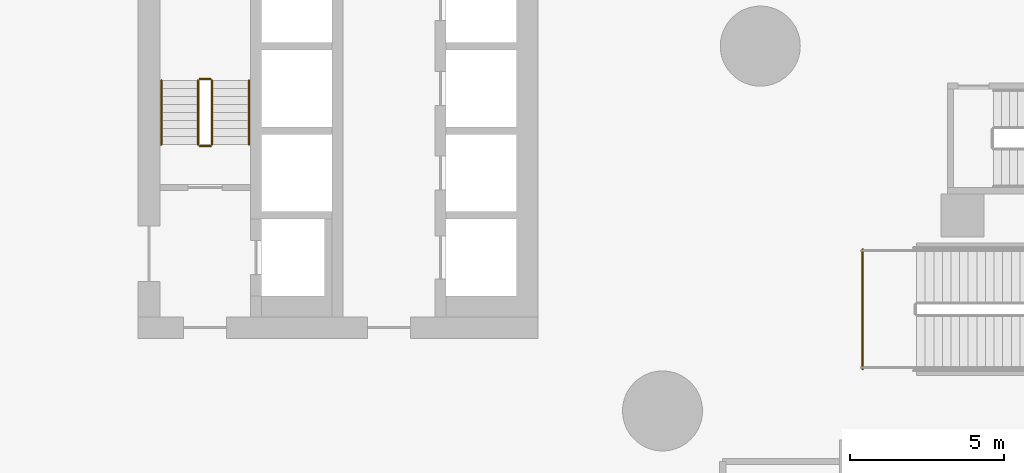
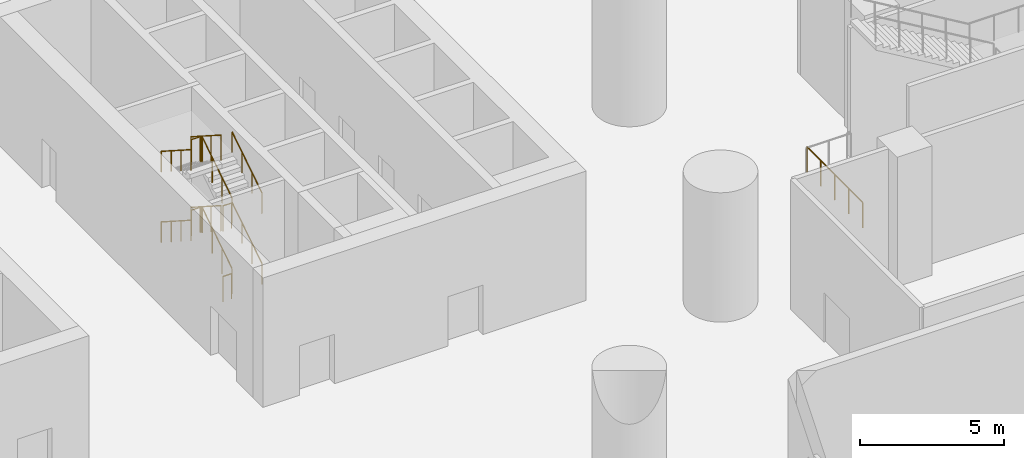
# One storey, part 45 of 52: 13 railings.
"""IFC4 building model written with IfcOpenShell, lengths in metres."""

from ifc_helpers import new_model, si_unit, direction, frame, origin, origin_2d, place, context, subcontext, project, spatial, circle, extrude, material, type_object, element, save


model = new_model("IFC4")

# Units and contexts
model_context = context("Model", 3, precision=1e-05, world=origin(), true_north=direction((0.0, 1.0)))
body_context = subcontext(model_context, "Body", "Model", "MODEL_VIEW")
ifc_project = project(units=[si_unit("LENGTHUNIT", "METRE"), si_unit("AREAUNIT", "SQUARE_METRE"), si_unit("VOLUMEUNIT", "CUBIC_METRE"), si_unit("PLANEANGLEUNIT", "RADIAN"), si_unit("MASSUNIT", "GRAM", prefix="KILO")], contexts=[model_context])

# Site, building, storey
site_placement = place(None, origin())
site = spatial("IfcSite", under=ifc_project, at=site_placement, CompositionType="ELEMENT")
building_placement = place(site_placement, origin())
building = spatial("IfcBuilding", under=site, at=building_placement, Name="Tamarind Cross Interchange Tower", CompositionType="ELEMENT")
storey_placement = place(building_placement, frame((0.0, 0.0, 9.0)))
storey = spatial("IfcBuildingStorey", under=building, at=storey_placement, Name="L01", CompositionType="ELEMENT", Elevation=9.0)

# Railings
ifc_material_1 = material(Name="Public stair guard")
railing_type_1 = type_object("IfcRailingType", Name="Public stair guard", PredefinedType="GUARDRAIL", material=ifc_material_1)
railing_1_placement = place(storey_placement, frame((27.050048828125, -10.5, 0.0)))
element("IfcRailing", 1, at=railing_1_placement, inside=storey, type_object=railing_type_1, Name="L01 PS-E stair guard 10", PredefinedType="GUARDRAIL", context=body_context, shape_type="SweptSolid", body=[
    extrude(circle(Radius=0.02392578125, at=origin_2d()), frame((0.0, 0.0, 1.076171875), z_axis=(0.0, 1.0, 0.0), x_axis=(-1.0, 0.0, 0.0)), (0.0, 0.0, 1.0), 3.89990234375),
    extrude(circle(Radius=0.02099609375, at=origin_2d()), origin(), (0.0, 0.0, 1.0), 1.052001953125),
    extrude(circle(Radius=0.02099609375, at=origin_2d()), frame((0.0, 0.97509765625, 0.0)), (0.0, 0.0, 1.0), 1.052001953125),
    extrude(circle(Radius=0.02099609375, at=origin_2d()), frame((0.0, 1.949951171875, 0.0)), (0.0, 0.0, 1.0), 1.052001953125),
    extrude(circle(Radius=0.02099609375, at=origin_2d()), frame((0.0, 2.9248046875, 0.0)), (0.0, 0.0, 1.0), 1.052001953125),
    extrude(circle(Radius=0.02099609375, at=origin_2d()), frame((0.0, 3.89990234375, 0.0)), (0.0, 0.0, 1.0), 1.052001953125),
])
ifc_material_2 = material(Name="Stair guard")
railing_type_2 = type_object("IfcRailingType", Name="Stair guard", PredefinedType="GUARDRAIL", material=ifc_material_2)
railing_2_placement = place(storey_placement, frame((5.89990234375, -3.199951171875, 0.166748046875)))
element("IfcRailing", 2, at=railing_2_placement, inside=storey, type_object=railing_type_2, Name="L01 ST2 stair guard 1", PredefinedType="GUARDRAIL", context=body_context, shape_type="SweptSolid", body=[
    extrude(circle(Radius=0.02392578125, at=origin_2d()), frame((0.0, 0.0, 1.076171875), z_axis=(0.0, 0.84187453394, 0.539673298491), x_axis=(-1.0, 0.0, 0.0)), (0.0, 0.0, 1.0), 2.470458984375),
    extrude(circle(Radius=0.02099609375, at=origin_2d()), origin(), (0.0, 0.0, 1.0), 1.052001953125),
    extrude(circle(Radius=0.02099609375, at=origin_2d()), frame((0.0, 0.693359375, 0.4443359375)), (0.0, 0.0, 1.0), 1.052001953125),
    extrude(circle(Radius=0.02099609375, at=origin_2d()), frame((0.0, 1.386474609375, 0.888916015625)), (0.0, 0.0, 1.0), 1.052001953125),
    extrude(circle(Radius=0.02099609375, at=origin_2d()), frame((0.0, 2.079833984375, 1.333251953125)), (0.0, 0.0, 1.0), 1.052001953125),
])
railing_3_placement = place(storey_placement, frame((5.85009765625, -1.070068359375, 1.5)))
element("IfcRailing", 3, at=railing_3_placement, inside=storey, type_object=railing_type_2, Name="L01 ST2 stair guard 2", PredefinedType="GUARDRAIL", context=body_context, shape_type="SweptSolid", body=[
    extrude(circle(Radius=0.02392578125, at=origin_2d()), frame((0.0, 0.0, 1.076171875), z_axis=(-1.0, 0.0, 0.0), x_axis=(0.0, -1.0, 0.0)), (0.0, 0.0, 1.0), 0.35009765625),
    extrude(circle(Radius=0.02099609375, at=origin_2d()), origin(), (0.0, 0.0, 1.0), 1.052001953125),
    extrude(circle(Radius=0.02099609375, at=origin_2d()), frame((-0.35009765625, 0.0, 0.0)), (0.0, 0.0, 1.0), 1.052001953125),
])
railing_4_placement = place(storey_placement, frame((5.449951171875, -1.1201171875, 1.666748046875)))
element("IfcRailing", 4, at=railing_4_placement, inside=storey, type_object=railing_type_2, Name="L01 ST2 stair guard 3", PredefinedType="GUARDRAIL", context=body_context, shape_type="SweptSolid", body=[
    extrude(circle(Radius=0.02392578125, at=origin_2d()), frame((0.0, 0.0, 1.076171875), z_axis=(0.0, -0.84187453394, 0.539673298491), x_axis=(1.0, 0.0, 0.0)), (0.0, 0.0, 1.0), 2.470458984375),
    extrude(circle(Radius=0.02099609375, at=origin_2d()), origin(), (0.0, 0.0, 1.0), 1.052001953125),
    extrude(circle(Radius=0.02099609375, at=origin_2d()), frame((0.0, -0.693359375, 0.4443359375)), (0.0, 0.0, 1.0), 1.052001953125),
    extrude(circle(Radius=0.02099609375, at=origin_2d()), frame((0.0, -1.386474609375, 0.888916015625)), (0.0, 0.0, 1.0), 1.052001953125),
    extrude(circle(Radius=0.02099609375, at=origin_2d()), frame((0.0, -2.079833984375, 1.333251953125)), (0.0, 0.0, 1.0), 1.052001953125),
])
railing_5_placement = place(storey_placement, frame((5.85009765625, -3.25, 3.0)))
element("IfcRailing", 5, at=railing_5_placement, inside=storey, type_object=railing_type_2, Name="L01 ST2 stair guard 4", PredefinedType="GUARDRAIL", context=body_context, shape_type="SweptSolid", body=[
    extrude(circle(Radius=0.02392578125, at=origin_2d()), frame((0.0, 0.0, 1.076171875), z_axis=(-1.0, 0.0, 0.0), x_axis=(0.0, -1.0, 0.0)), (0.0, 0.0, 1.0), 0.35009765625),
    extrude(circle(Radius=0.02099609375, at=origin_2d()), origin(), (0.0, 0.0, 1.0), 1.052001953125),
    extrude(circle(Radius=0.02099609375, at=origin_2d()), frame((-0.35009765625, 0.0, 0.0)), (0.0, 0.0, 1.0), 1.052001953125),
])
railing_6_placement = place(storey_placement, frame((5.89990234375, -3.199951171875, 3.166748046875)))
element("IfcRailing", 6, at=railing_6_placement, inside=storey, type_object=railing_type_2, Name="L01 ST2 stair guard 5", PredefinedType="GUARDRAIL", context=body_context, shape_type="SweptSolid", body=[
    extrude(circle(Radius=0.02392578125, at=origin_2d()), frame((0.0, 0.0, 1.076171875), z_axis=(0.0, 0.84187453394, 0.539673298491), x_axis=(-1.0, 0.0, 0.0)), (0.0, 0.0, 1.0), 2.470458984375),
    extrude(circle(Radius=0.02099609375, at=origin_2d()), origin(), (0.0, 0.0, 1.0), 1.052001953125),
    extrude(circle(Radius=0.02099609375, at=origin_2d()), frame((0.0, 0.693359375, 0.4443359375)), (0.0, 0.0, 1.0), 1.052001953125),
    extrude(circle(Radius=0.02099609375, at=origin_2d()), frame((0.0, 1.386474609375, 0.888916015625)), (0.0, 0.0, 1.0), 1.052001953125),
    extrude(circle(Radius=0.02099609375, at=origin_2d()), frame((0.0, 2.079833984375, 1.333251953125)), (0.0, 0.0, 1.0), 1.052001953125),
])
railing_7_placement = place(storey_placement, frame((5.85009765625, -1.070068359375, 4.5)))
element("IfcRailing", 7, at=railing_7_placement, inside=storey, type_object=railing_type_2, Name="L01 ST2 stair guard 6", PredefinedType="GUARDRAIL", context=body_context, shape_type="SweptSolid", body=[
    extrude(circle(Radius=0.02392578125, at=origin_2d()), frame((0.0, 0.0, 1.076171875), z_axis=(-1.0, 0.0, 0.0), x_axis=(0.0, -1.0, 0.0)), (0.0, 0.0, 1.0), 0.35009765625),
    extrude(circle(Radius=0.02099609375, at=origin_2d()), origin(), (0.0, 0.0, 1.0), 1.052001953125),
    extrude(circle(Radius=0.02099609375, at=origin_2d()), frame((-0.35009765625, 0.0, 0.0)), (0.0, 0.0, 1.0), 1.052001953125),
])
railing_8_placement = place(storey_placement, frame((5.449951171875, -1.1201171875, 4.666748046875)))
element("IfcRailing", 8, at=railing_8_placement, inside=storey, type_object=railing_type_2, Name="L01 ST2 stair guard 7", PredefinedType="GUARDRAIL", context=body_context, shape_type="SweptSolid", body=[
    extrude(circle(Radius=0.02392578125, at=origin_2d()), frame((0.0, 0.0, 1.076171875), z_axis=(0.0, -0.84187453394, 0.539673298491), x_axis=(1.0, 0.0, 0.0)), (0.0, 0.0, 1.0), 2.470458984375),
    extrude(circle(Radius=0.02099609375, at=origin_2d()), origin(), (0.0, 0.0, 1.0), 1.052001953125),
    extrude(circle(Radius=0.02099609375, at=origin_2d()), frame((0.0, -0.693359375, 0.4443359375)), (0.0, 0.0, 1.0), 1.052001953125),
    extrude(circle(Radius=0.02099609375, at=origin_2d()), frame((0.0, -1.386474609375, 0.888916015625)), (0.0, 0.0, 1.0), 1.052001953125),
    extrude(circle(Radius=0.02099609375, at=origin_2d()), frame((0.0, -2.079833984375, 1.333251953125)), (0.0, 0.0, 1.0), 1.052001953125),
])
railing_9_placement = place(storey_placement, frame((5.85009765625, -3.25, 0.0)))
element("IfcRailing", 9, at=railing_9_placement, inside=storey, type_object=railing_type_2, Name="L01 ST2 stair guard 8", PredefinedType="GUARDRAIL", context=body_context, shape_type="SweptSolid", body=[
    extrude(circle(Radius=0.02392578125, at=origin_2d()), frame((0.0, 0.0, 1.076171875), z_axis=(-1.0, 0.0, 0.0), x_axis=(0.0, -1.0, 0.0)), (0.0, 0.0, 1.0), 0.35009765625),
    extrude(circle(Radius=0.02099609375, at=origin_2d()), origin(), (0.0, 0.0, 1.0), 1.052001953125),
    extrude(circle(Radius=0.02099609375, at=origin_2d()), frame((-0.35009765625, 0.0, 0.0)), (0.0, 0.0, 1.0), 1.052001953125),
])
ifc_material_3 = material(Name="Stair handrail")
railing_type_3 = type_object("IfcRailingType", Name="Stair handrail", PredefinedType="HANDRAIL", material=ifc_material_3)
railing_10_placement = place(storey_placement, frame((7.10009765625, -3.199951171875, 0.166748046875)))
element("IfcRailing", 10, at=railing_10_placement, inside=storey, type_object=railing_type_3, Name="L01 ST2 stair handrail 1", PredefinedType="HANDRAIL", context=body_context, shape_type="SweptSolid", body=[
    extrude(circle(Radius=0.02392578125, at=origin_2d()), frame((0.0, 0.0, 0.8759765625), z_axis=(0.0, 0.84187453394, 0.539673298491), x_axis=(-1.0, 0.0, 0.0)), (0.0, 0.0, 1.0), 2.470458984375),
    extrude(circle(Radius=0.02099609375, at=origin_2d()), origin(), (0.0, 0.0, 1.0), 0.851806640625),
    extrude(circle(Radius=0.02099609375, at=origin_2d()), frame((0.0, 0.693359375, 0.4443359375)), (0.0, 0.0, 1.0), 0.851806640625),
    extrude(circle(Radius=0.02099609375, at=origin_2d()), frame((0.0, 1.386474609375, 0.888916015625)), (0.0, 0.0, 1.0), 0.851806640625),
    extrude(circle(Radius=0.02099609375, at=origin_2d()), frame((0.0, 2.079833984375, 1.333251953125)), (0.0, 0.0, 1.0), 0.851806640625),
])
railing_11_placement = place(storey_placement, frame((4.25, -1.1201171875, 1.666748046875)))
element("IfcRailing", 11, at=railing_11_placement, inside=storey, type_object=railing_type_3, Name="L01 ST2 stair handrail 2", PredefinedType="HANDRAIL", context=body_context, shape_type="SweptSolid", body=[
    extrude(circle(Radius=0.02392578125, at=origin_2d()), frame((0.0, 0.0, 0.8759765625), z_axis=(0.0, -0.84187453394, 0.539673298491), x_axis=(1.0, 0.0, 0.0)), (0.0, 0.0, 1.0), 2.470458984375),
    extrude(circle(Radius=0.02099609375, at=origin_2d()), origin(), (0.0, 0.0, 1.0), 0.851806640625),
    extrude(circle(Radius=0.02099609375, at=origin_2d()), frame((0.0, -0.693359375, 0.4443359375)), (0.0, 0.0, 1.0), 0.851806640625),
    extrude(circle(Radius=0.02099609375, at=origin_2d()), frame((0.0, -1.386474609375, 0.888916015625)), (0.0, 0.0, 1.0), 0.851806640625),
    extrude(circle(Radius=0.02099609375, at=origin_2d()), frame((0.0, -2.079833984375, 1.333251953125)), (0.0, 0.0, 1.0), 0.851806640625),
])
railing_12_placement = place(storey_placement, frame((7.10009765625, -3.199951171875, 3.166748046875)))
element("IfcRailing", 12, at=railing_12_placement, inside=storey, type_object=railing_type_3, Name="L01 ST2 stair handrail 3", PredefinedType="HANDRAIL", context=body_context, shape_type="SweptSolid", body=[
    extrude(circle(Radius=0.02392578125, at=origin_2d()), frame((0.0, 0.0, 0.8759765625), z_axis=(0.0, 0.84187453394, 0.539673298491), x_axis=(-1.0, 0.0, 0.0)), (0.0, 0.0, 1.0), 2.470458984375),
    extrude(circle(Radius=0.02099609375, at=origin_2d()), origin(), (0.0, 0.0, 1.0), 0.851806640625),
    extrude(circle(Radius=0.02099609375, at=origin_2d()), frame((0.0, 0.693359375, 0.4443359375)), (0.0, 0.0, 1.0), 0.851806640625),
    extrude(circle(Radius=0.02099609375, at=origin_2d()), frame((0.0, 1.386474609375, 0.888916015625)), (0.0, 0.0, 1.0), 0.851806640625),
    extrude(circle(Radius=0.02099609375, at=origin_2d()), frame((0.0, 2.079833984375, 1.333251953125)), (0.0, 0.0, 1.0), 0.851806640625),
])
railing_13_placement = place(storey_placement, frame((4.25, -1.1201171875, 4.666748046875)))
element("IfcRailing", 13, at=railing_13_placement, inside=storey, type_object=railing_type_3, Name="L01 ST2 stair handrail 4", PredefinedType="HANDRAIL", context=body_context, shape_type="SweptSolid", body=[
    extrude(circle(Radius=0.02392578125, at=origin_2d()), frame((0.0, 0.0, 0.8759765625), z_axis=(0.0, -0.84187453394, 0.539673298491), x_axis=(1.0, 0.0, 0.0)), (0.0, 0.0, 1.0), 2.470458984375),
    extrude(circle(Radius=0.02099609375, at=origin_2d()), origin(), (0.0, 0.0, 1.0), 0.851806640625),
    extrude(circle(Radius=0.02099609375, at=origin_2d()), frame((0.0, -0.693359375, 0.4443359375)), (0.0, 0.0, 1.0), 0.851806640625),
    extrude(circle(Radius=0.02099609375, at=origin_2d()), frame((0.0, -1.386474609375, 0.888916015625)), (0.0, 0.0, 1.0), 0.851806640625),
    extrude(circle(Radius=0.02099609375, at=origin_2d()), frame((0.0, -2.079833984375, 1.333251953125)), (0.0, 0.0, 1.0), 0.851806640625),
])

save(model, "model.ifc")
